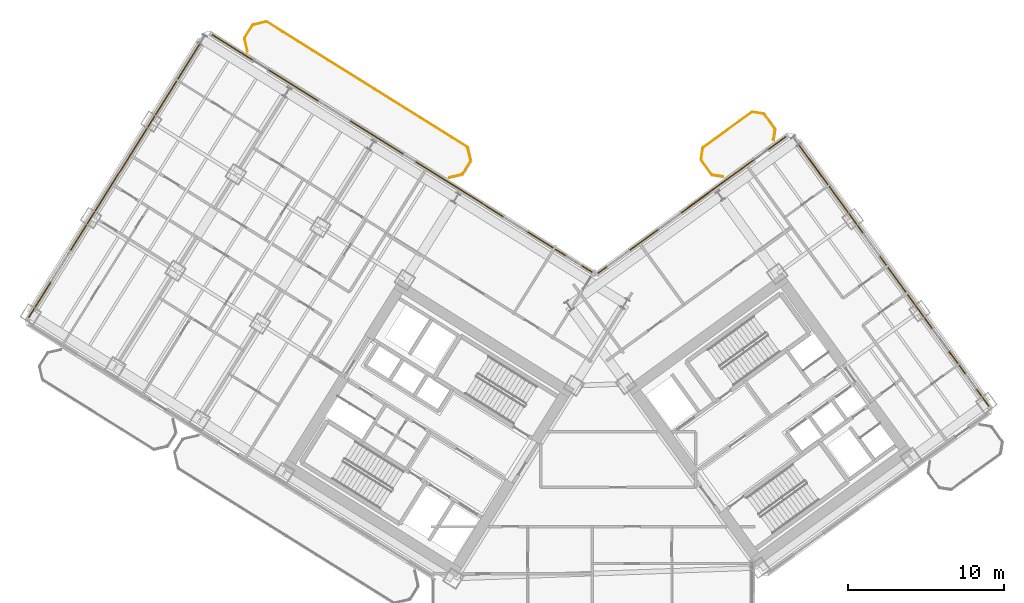
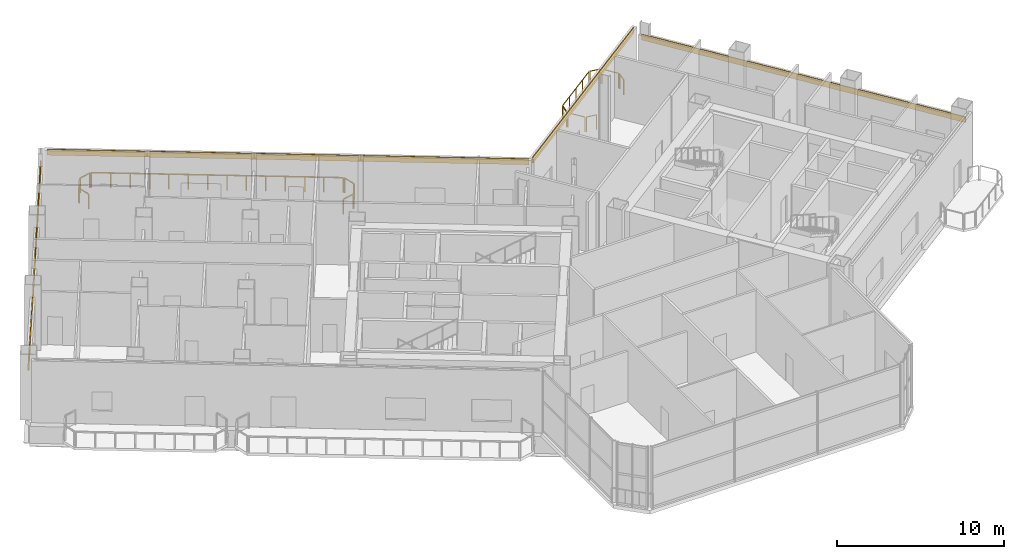
# One storey, part 22 of 22: 14 railings, 4 coverings.
"""IFC4 building model written with IfcOpenShell, lengths in metres."""

from ifc_helpers import new_model, si_unit, direction, frame, origin, origin_2d, place, context, subcontext, project, spatial, rectangle, extrude, source, transform, mapped, material, layer, layer_set, type_object, element, save


model = new_model("IFC4")

# Units and contexts
model_context = context("Model", 3, precision=1e-05, world=origin(), true_north=direction((0.0, 1.0)))
body_context = subcontext(model_context, "Body", "Model", "MODEL_VIEW")
ifc_project = project(units=[si_unit("LENGTHUNIT", "METRE"), si_unit("AREAUNIT", "SQUARE_METRE"), si_unit("VOLUMEUNIT", "CUBIC_METRE"), si_unit("PLANEANGLEUNIT", "RADIAN"), si_unit("MASSUNIT", "GRAM", prefix="KILO")], contexts=[model_context])

# Site, building, storey
site_placement = place(None, origin())
site = spatial("IfcSite", under=ifc_project, at=site_placement, CompositionType="ELEMENT")
building_placement = place(site_placement, origin())
building = spatial("IfcBuilding", under=site, at=building_placement, Name="Tlacorven Tower", CompositionType="ELEMENT")
storey_placement = place(building_placement, frame((0.0, 0.0, 71.699951171875)))
storey = spatial("IfcBuildingStorey", under=building, at=storey_placement, Name="L18", CompositionType="ELEMENT", Elevation=71.699951171875)

# Railings
ifc_material_1 = material(Name="Aluminium and painted steel balustrade", Category="steel")
railing_type = type_object("IfcRailingType", Name="RL-BAL-1100", PredefinedType="BALUSTRADE", material=ifc_material_1)
shared_shape_1 = source(origin(), body_context, "Body", "SweptSolid", [
    extrude(rectangle(XDim=0.048095703125, YDim=0.048095703125, at=origin_2d()), frame((0.0, 0.0, 1.076171875), z_axis=(0.974345290916, 0.225058334816, 0.0), x_axis=(-0.225058334816, 0.974345290916, 0.0)), (0.0, 0.0, 1.0), 0.80712890625),
    extrude(rectangle(XDim=0.0419921875, YDim=0.0419921875, at=origin_2d()), origin(), (0.0, 0.0, 1.0), 1.052001953125),
    extrude(rectangle(XDim=0.0419921875, YDim=0.0419921875, at=origin_2d()), frame((0.786376953125, 0.181640625, 0.0)), (0.0, 0.0, 1.0), 1.052001953125),
])
railing_1_placement = place(storey_placement, frame((20.2138671875, 47.643798828125, 0.0)))
element("IfcRailing", 1, at=railing_1_placement, inside=storey, type_object=railing_type, Name="BAL-L18-W-IN Guard Railing 6", PredefinedType="BALUSTRADE", context=body_context, shape_type="MappedRepresentation", body=[
    mapped(shared_shape_1, transform((0.0, 0.0, 0.0), scale=1.0)),
])
shared_shape_2 = source(origin(), body_context, "Body", "SweptSolid", [
    extrude(rectangle(XDim=0.048095703125, YDim=0.048095703125, at=origin_2d()), frame((0.0, 0.0, 1.076171875), z_axis=(-0.987661653326, 0.156602868908, 0.0), x_axis=(-0.156602868908, -0.987661653326, 0.0)), (0.0, 0.0, 1.0), 0.665771484375),
    extrude(rectangle(XDim=0.0419921875, YDim=0.0419921875, at=origin_2d()), origin(), (0.0, 0.0, 1.0), 1.052001953125),
    extrude(rectangle(XDim=0.0419921875, YDim=0.0419921875, at=origin_2d()), frame((-0.657470703125, 0.104248046875, 0.0)), (0.0, 0.0, 1.0), 1.052001953125),
])
railing_2_placement = place(storey_placement, frame((50.359130859375, 37.891845703125, 0.0)))
element("IfcRailing", 2, at=railing_2_placement, inside=storey, type_object=railing_type, Name="BAL-L18-E-IN Guard Railing 1", PredefinedType="BALUSTRADE", context=body_context, shape_type="MappedRepresentation", body=[
    mapped(shared_shape_2, transform((0.0, 0.0, 0.0), scale=1.0)),
])
shared_shape_3 = source(origin(), body_context, "Body", "SweptSolid", [
    extrude(rectangle(XDim=0.048095703125, YDim=0.048095703125, at=origin_2d()), frame((0.0, 0.0, 1.076171875), z_axis=(0.156602868908, 0.987661653326, 0.0), x_axis=(-0.987661653326, 0.156602868908, 0.0)), (0.0, 0.0, 1.0), 0.665771484375),
    extrude(rectangle(XDim=0.0419921875, YDim=0.0419921875, at=origin_2d()), origin(), (0.0, 0.0, 1.0), 1.052001953125),
    extrude(rectangle(XDim=0.0419921875, YDim=0.0419921875, at=origin_2d()), frame((0.104248046875, 0.657470703125, 0.0)), (0.0, 0.0, 1.0), 1.052001953125),
])
railing_3_placement = place(storey_placement, frame((48.947509765625, 39.033935546875, 0.0)))
element("IfcRailing", 3, at=railing_3_placement, inside=storey, type_object=railing_type, Name="BAL-L18-E-IN Guard Railing 3", PredefinedType="BALUSTRADE", context=body_context, shape_type="MappedRepresentation", body=[
    mapped(shared_shape_3, transform((0.0, 0.0, 0.0), scale=1.0)),
])
shared_shape_4 = source(origin(), body_context, "Body", "SweptSolid", [
    extrude(rectangle(XDim=0.048095703125, YDim=0.048095703125, at=origin_2d()), frame((0.0, 0.0, 1.076171875), z_axis=(-0.156245081039, -0.987718317463, 0.0), x_axis=(0.987718317463, -0.156245081039, 0.0)), (0.0, 0.0, 1.0), 0.66552734375),
    extrude(rectangle(XDim=0.0419921875, YDim=0.0419921875, at=origin_2d()), origin(), (0.0, 0.0, 1.0), 1.052001953125),
    extrude(rectangle(XDim=0.0419921875, YDim=0.0419921875, at=origin_2d()), frame((-0.10400390625, -0.657470703125, 0.0)), (0.0, 0.0, 1.0), 1.052001953125),
])
railing_4_placement = place(storey_placement, frame((53.689453125, 40.893310546875, 0.0)))
element("IfcRailing", 4, at=railing_4_placement, inside=storey, type_object=railing_type, Name="BAL-L18-E-IN Guard Railing 7", PredefinedType="BALUSTRADE", context=body_context, shape_type="MappedRepresentation", body=[
    mapped(shared_shape_4, transform((0.0, 0.0, 0.0), scale=1.0)),
])

# Coverings
ifc_material_2 = material(Name="Precast concrete C45/55", Category="concrete")
ifc_layer = layer(ifc_material_2, 0.06005859375)
ifc_layer_set = layer_set([ifc_layer], Name="Precast concrete C45/55")
covering_type = type_object("IfcCoveringType", Name="CV-CLD-TERC", PredefinedType="CLADDING", material=ifc_layer_set)
shared_shape_5 = source(origin(), body_context, "Body", "SweptSolid", [
    extrude(rectangle(XDim=21.287353515625, YDim=0.06005859375, at=origin_2d()), origin(), (0.0, 0.0, 1.0), 0.419921875),
])
for number, where, z_axis, x_axis, name in (
    (5, (11.419677734375, 37.864013671875, 3.47509765625), (0.0, 0.0, 1.0), (0.529919147866, 0.848048168871, 0.0), "L18 Masonry-Frame Spandrel Cladding 2"),
    (6, (61.15478515625, 31.767333984375, 3.47509765625), (0.0, 0.0, 1.0), (0.587785363163, -0.809016913823, 0.0), "L18 Masonry-Frame Spandrel Cladding 5"),
):
    element("IfcCovering", number, at=place(storey_placement, frame(where, z_axis=z_axis, x_axis=x_axis)), inside=storey, type_object=covering_type, Name=name, PredefinedType="CLADDING", context=body_context, shape_type="MappedRepresentation", body=[
        mapped(shared_shape_5, transform((0.0, 0.0, 0.0), scale=1.0)),
    ])

# Railings
shared_shape_6 = source(origin(), body_context, "Body", "SweptSolid", [
    extrude(rectangle(XDim=0.048095703125, YDim=0.048095703125, at=origin_2d()), frame((0.0, 0.0, 1.076171875), z_axis=(0.529998940003, 0.847998304005, 0.0), x_axis=(-0.847998304005, 0.529998940003, 0.0)), (0.0, 0.0, 1.0), 0.912109375),
    extrude(rectangle(XDim=0.0419921875, YDim=0.0419921875, at=origin_2d()), origin(), (0.0, 0.0, 1.0), 1.052001953125),
    extrude(rectangle(XDim=0.0419921875, YDim=0.0419921875, at=origin_2d()), frame((0.4833984375, 0.7734375, 0.0)), (0.0, 0.0, 1.0), 1.052001953125),
])
railing_5_placement = place(storey_placement, frame((19.6552734375, 46.816650390625, 0.0)))
element("IfcRailing", 7, at=railing_5_placement, inside=storey, type_object=railing_type, Name="BAL-L18-W-IN Guard Railing 5", PredefinedType="BALUSTRADE", context=body_context, shape_type="MappedRepresentation", body=[
    mapped(shared_shape_6, transform((0.0, 0.0, 0.0), scale=1.0)),
])
shared_shape_7 = source(origin(), body_context, "Body", "SweptSolid", [
    extrude(rectangle(XDim=0.048095703125, YDim=0.048095703125, at=origin_2d()), frame((0.0, 0.0, 1.076171875), z_axis=(0.224992020761, -0.974360606036, 0.0), x_axis=(0.974360606036, 0.224992020761, 0.0)), (0.0, 0.0, 1.0), 0.807373046875),
    extrude(rectangle(XDim=0.0419921875, YDim=0.0419921875, at=origin_2d()), origin(), (0.0, 0.0, 1.0), 1.052001953125),
    extrude(rectangle(XDim=0.0419921875, YDim=0.0419921875, at=origin_2d()), frame((0.181640625, -0.78662109375, 0.0)), (0.0, 0.0, 1.0), 1.052001953125),
])
railing_6_placement = place(storey_placement, frame((33.965087890625, 39.72412109375, 0.0)))
element("IfcRailing", 8, at=railing_6_placement, inside=storey, type_object=railing_type, Name="BAL-L18-W-IN Guard Railing 1", PredefinedType="BALUSTRADE", context=body_context, shape_type="MappedRepresentation", body=[
    mapped(shared_shape_7, transform((0.0, 0.0, 0.0), scale=1.0)),
])
shared_shape_8 = source(origin(), body_context, "Body", "SweptSolid", [
    extrude(rectangle(XDim=0.048095703125, YDim=0.048095703125, at=origin_2d()), frame((0.0, 0.0, 1.076171875), z_axis=(-0.529998940003, -0.847998304005, 0.0), x_axis=(0.847998304005, -0.529998940003, 0.0)), (0.0, 0.0, 1.0), 0.912109375),
    extrude(rectangle(XDim=0.0419921875, YDim=0.0419921875, at=origin_2d()), origin(), (0.0, 0.0, 1.0), 1.052001953125),
    extrude(rectangle(XDim=0.0419921875, YDim=0.0419921875, at=origin_2d()), frame((-0.4833984375, -0.7734375, 0.0)), (0.0, 0.0, 1.0), 1.052001953125),
])
railing_7_placement = place(storey_placement, frame((34.131591796875, 38.846435546875, 0.0)))
element("IfcRailing", 9, at=railing_7_placement, inside=storey, type_object=railing_type, Name="BAL-L18-W-IN Guard Railing 2", PredefinedType="BALUSTRADE", context=body_context, shape_type="MappedRepresentation", body=[
    mapped(shared_shape_8, transform((0.0, 0.0, 0.0), scale=1.0)),
])
shared_shape_9 = source(origin(), body_context, "Body", "SweptSolid", [
    extrude(rectangle(XDim=0.048095703125, YDim=0.048095703125, at=origin_2d()), frame((0.0, 0.0, 1.076171875), z_axis=(-0.974360606036, -0.224992020761, 0.0), x_axis=(0.224992020761, -0.974360606036, 0.0)), (0.0, 0.0, 1.0), 0.807373046875),
    extrude(rectangle(XDim=0.0419921875, YDim=0.0419921875, at=origin_2d()), origin(), (0.0, 0.0, 1.0), 1.052001953125),
    extrude(rectangle(XDim=0.0419921875, YDim=0.0419921875, at=origin_2d()), frame((-0.78662109375, -0.181640625, 0.0)), (0.0, 0.0, 1.0), 1.052001953125),
])
railing_8_placement = place(storey_placement, frame((33.572998046875, 38.019287109375, 0.0)))
element("IfcRailing", 10, at=railing_8_placement, inside=storey, type_object=railing_type, Name="BAL-L18-W-IN Guard Railing 3", PredefinedType="BALUSTRADE", context=body_context, shape_type="MappedRepresentation", body=[
    mapped(shared_shape_9, transform((0.0, 0.0, 0.0), scale=1.0)),
])
shared_shape_10 = source(origin(), body_context, "Body", "SweptSolid", [
    extrude(rectangle(XDim=0.048095703125, YDim=0.048095703125, at=origin_2d()), frame((0.0, 0.0, 1.076171875), z_axis=(-0.22470489119, 0.974426863277, 0.0), x_axis=(-0.974426863277, -0.22470489119, 0.0)), (0.0, 0.0, 1.0), 0.807373046875),
    extrude(rectangle(XDim=0.0419921875, YDim=0.0419921875, at=origin_2d()), origin(), (0.0, 0.0, 1.0), 1.052001953125),
    extrude(rectangle(XDim=0.0419921875, YDim=0.0419921875, at=origin_2d()), frame((-0.181396484375, 0.78662109375, 0.0)), (0.0, 0.0, 1.0), 1.052001953125),
])
railing_9_placement = place(storey_placement, frame((19.821533203125, 45.93896484375, 0.0)))
element("IfcRailing", 11, at=railing_9_placement, inside=storey, type_object=railing_type, Name="BAL-L18-W-IN Guard Railing 4", PredefinedType="BALUSTRADE", context=body_context, shape_type="MappedRepresentation", body=[
    mapped(shared_shape_10, transform((0.0, 0.0, 0.0), scale=1.0)),
])
shared_shape_11 = source(origin(), body_context, "Body", "SweptSolid", [
    extrude(rectangle(XDim=0.048095703125, YDim=0.048095703125, at=origin_2d()), frame((0.0, 0.0, 1.076171875), z_axis=(0.848051830527, -0.529913287944, 0.0), x_axis=(0.529913287944, 0.848051830527, 0.0)), (0.0, 0.0, 1.0), 15.1171875),
    extrude(rectangle(XDim=0.0419921875, YDim=0.0419921875, at=origin_2d()), origin(), (0.0, 0.0, 1.0), 1.052001953125),
    extrude(rectangle(XDim=0.0419921875, YDim=0.0419921875, at=origin_2d()), frame((0.986083984375, -0.6162109375, 0.0)), (0.0, 0.0, 1.0), 1.052001953125),
    extrude(rectangle(XDim=0.0419921875, YDim=0.0419921875, at=origin_2d()), frame((1.972412109375, -1.232421875, 0.0)), (0.0, 0.0, 1.0), 1.052001953125),
    extrude(rectangle(XDim=0.0419921875, YDim=0.0419921875, at=origin_2d()), frame((2.95849609375, -1.8486328125, 0.0)), (0.0, 0.0, 1.0), 1.052001953125),
    extrude(rectangle(XDim=0.0419921875, YDim=0.0419921875, at=origin_2d()), frame((3.944580078125, -2.46484375, 0.0)), (0.0, 0.0, 1.0), 1.052001953125),
    extrude(rectangle(XDim=0.0419921875, YDim=0.0419921875, at=origin_2d()), frame((4.930908203125, -3.0810546875, 0.0)), (0.0, 0.0, 1.0), 1.052001953125),
    extrude(rectangle(XDim=0.0419921875, YDim=0.0419921875, at=origin_2d()), frame((5.9169921875, -3.697265625, 0.0)), (0.0, 0.0, 1.0), 1.052001953125),
    extrude(rectangle(XDim=0.0419921875, YDim=0.0419921875, at=origin_2d()), frame((6.903076171875, -4.3134765625, 0.0)), (0.0, 0.0, 1.0), 1.052001953125),
    extrude(rectangle(XDim=0.0419921875, YDim=0.0419921875, at=origin_2d()), frame((7.88916015625, -4.9296875, 0.0)), (0.0, 0.0, 1.0), 1.052001953125),
    extrude(rectangle(XDim=0.0419921875, YDim=0.0419921875, at=origin_2d()), frame((8.87548828125, -5.5458984375, 0.0)), (0.0, 0.0, 1.0), 1.052001953125),
    extrude(rectangle(XDim=0.0419921875, YDim=0.0419921875, at=origin_2d()), frame((9.861572265625, -6.162109375, 0.0)), (0.0, 0.0, 1.0), 1.052001953125),
    extrude(rectangle(XDim=0.0419921875, YDim=0.0419921875, at=origin_2d()), frame((10.84765625, -6.7783203125, 0.0)), (0.0, 0.0, 1.0), 1.052001953125),
    extrude(rectangle(XDim=0.0419921875, YDim=0.0419921875, at=origin_2d()), frame((11.833984375, -7.39453125, 0.0)), (0.0, 0.0, 1.0), 1.052001953125),
    extrude(rectangle(XDim=0.0419921875, YDim=0.0419921875, at=origin_2d()), frame((12.820068359375, -8.0107421875, 0.0)), (0.0, 0.0, 1.0), 1.052001953125),
])
railing_10_placement = place(storey_placement, frame((21.091552734375, 47.81005859375, 0.0)))
element("IfcRailing", 12, at=railing_10_placement, inside=storey, type_object=railing_type, Name="BAL-L18-W-IN Guard Railing 7", PredefinedType="BALUSTRADE", context=body_context, shape_type="MappedRepresentation", body=[
    mapped(shared_shape_11, transform((0.0, 0.0, 0.0), scale=1.0)),
])
shared_shape_12 = source(origin(), body_context, "Body", "SweptSolid", [
    extrude(rectangle(XDim=0.048095703125, YDim=0.048095703125, at=origin_2d()), frame((0.0, 0.0, 1.076171875), z_axis=(-0.587636431696, 0.809125097957, 0.0), x_axis=(-0.809125097957, -0.587636431696, 0.0)), (0.0, 0.0, 1.0), 1.1123046875),
    extrude(rectangle(XDim=0.0419921875, YDim=0.0419921875, at=origin_2d()), origin(), (0.0, 0.0, 1.0), 1.052001953125),
    extrude(rectangle(XDim=0.0419921875, YDim=0.0419921875, at=origin_2d()), frame((-0.653564453125, 0.89990234375, 0.0)), (0.0, 0.0, 1.0), 1.052001953125),
])
railing_11_placement = place(storey_placement, frame((49.622802734375, 38.044189453125, 0.0)))
element("IfcRailing", 13, at=railing_11_placement, inside=storey, type_object=railing_type, Name="BAL-L18-E-IN Guard Railing 2", PredefinedType="BALUSTRADE", context=body_context, shape_type="MappedRepresentation", body=[
    mapped(shared_shape_12, transform((0.0, 0.0, 0.0), scale=1.0)),
])
shared_shape_13 = source(origin(), body_context, "Body", "SweptSolid", [
    extrude(rectangle(XDim=0.048095703125, YDim=0.048095703125, at=origin_2d()), frame((0.0, 0.0, 1.076171875), z_axis=(0.809018102573, 0.587783726986, 0.0), x_axis=(-0.587783726986, 0.809018102573, 0.0)), (0.0, 0.0, 1.0), 3.817138671875),
    extrude(rectangle(XDim=0.0419921875, YDim=0.0419921875, at=origin_2d()), origin(), (0.0, 0.0, 1.0), 1.052001953125),
    extrude(rectangle(XDim=0.0419921875, YDim=0.0419921875, at=origin_2d()), frame((0.77197265625, 0.56103515625, 0.0)), (0.0, 0.0, 1.0), 1.052001953125),
    extrude(rectangle(XDim=0.0419921875, YDim=0.0419921875, at=origin_2d()), frame((1.5439453125, 1.121826171875, 0.0)), (0.0, 0.0, 1.0), 1.052001953125),
    extrude(rectangle(XDim=0.0419921875, YDim=0.0419921875, at=origin_2d()), frame((2.316162109375, 1.6826171875, 0.0)), (0.0, 0.0, 1.0), 1.052001953125),
    extrude(rectangle(XDim=0.0419921875, YDim=0.0419921875, at=origin_2d()), frame((3.088134765625, 2.24365234375, 0.0)), (0.0, 0.0, 1.0), 1.052001953125),
])
railing_12_placement = place(storey_placement, frame((49.10009765625, 39.77001953125, 0.0)))
element("IfcRailing", 14, at=railing_12_placement, inside=storey, type_object=railing_type, Name="BAL-L18-E-IN Guard Railing 4", PredefinedType="BALUSTRADE", context=body_context, shape_type="MappedRepresentation", body=[
    mapped(shared_shape_13, transform((0.0, 0.0, 0.0), scale=1.0)),
])
shared_shape_14 = source(origin(), body_context, "Body", "SweptSolid", [
    extrude(rectangle(XDim=0.048095703125, YDim=0.048095703125, at=origin_2d()), frame((0.0, 0.0, 1.076171875), z_axis=(0.987661653326, -0.156602868908, 0.0), x_axis=(0.156602868908, 0.987661653326, 0.0)), (0.0, 0.0, 1.0), 0.665771484375),
    extrude(rectangle(XDim=0.0419921875, YDim=0.0419921875, at=origin_2d()), origin(), (0.0, 0.0, 1.0), 1.052001953125),
    extrude(rectangle(XDim=0.0419921875, YDim=0.0419921875, at=origin_2d()), frame((0.657470703125, -0.104248046875, 0.0)), (0.0, 0.0, 1.0), 1.052001953125),
])
railing_13_placement = place(storey_placement, frame((52.278076171875, 42.035400390625, 0.0)))
element("IfcRailing", 15, at=railing_13_placement, inside=storey, type_object=railing_type, Name="BAL-L18-E-IN Guard Railing 5", PredefinedType="BALUSTRADE", context=body_context, shape_type="MappedRepresentation", body=[
    mapped(shared_shape_14, transform((0.0, 0.0, 0.0), scale=1.0)),
])
shared_shape_15 = source(origin(), body_context, "Body", "SweptSolid", [
    extrude(rectangle(XDim=0.048095703125, YDim=0.048095703125, at=origin_2d()), frame((0.0, 0.0, 1.076171875), z_axis=(0.587780115446, -0.809020726488, 0.0), x_axis=(0.809020726488, 0.587780115446, 0.0)), (0.0, 0.0, 1.0), 1.1123046875),
    extrude(rectangle(XDim=0.0419921875, YDim=0.0419921875, at=origin_2d()), origin(), (0.0, 0.0, 1.0), 1.052001953125),
    extrude(rectangle(XDim=0.0419921875, YDim=0.0419921875, at=origin_2d()), frame((0.65380859375, -0.89990234375, 0.0)), (0.0, 0.0, 1.0), 1.052001953125),
])
railing_14_placement = place(storey_placement, frame((53.01416015625, 41.883056640625, 0.0)))
element("IfcRailing", 16, at=railing_14_placement, inside=storey, type_object=railing_type, Name="BAL-L18-E-IN Guard Railing 6", PredefinedType="BALUSTRADE", context=body_context, shape_type="MappedRepresentation", body=[
    mapped(shared_shape_15, transform((0.0, 0.0, 0.0), scale=1.0)),
])

# Coverings
shared_shape_16 = source(origin(), body_context, "Body", "SweptSolid", [
    extrude(rectangle(XDim=28.923095703125, YDim=0.06005859375, at=origin_2d()), origin(), (0.0, 0.0, 1.0), 0.419921875),
])
covering_1_placement = place(storey_placement, frame((29.815185546875, 39.34033203125, 4.10009765625), z_axis=(0.0, 0.0, 1.0), x_axis=(0.848048220257, -0.52991906563, 0.0)))
element("IfcCovering", 17, at=covering_1_placement, inside=storey, type_object=covering_type, Name="L18 Masonry-Frame Spandrel Cladding 3", PredefinedType="CLADDING", context=body_context, shape_type="MappedRepresentation", body=[
    mapped(shared_shape_16, transform((0.0, 0.0, 0.0), scale=1.0)),
])
shared_shape_17 = source(origin(), body_context, "Body", "SweptSolid", [
    extrude(rectangle(XDim=14.923095703125, YDim=0.06005859375, at=origin_2d()), origin(), (0.0, 0.0, 1.0), 0.419921875),
])
covering_2_placement = place(storey_placement, frame((48.3642578125, 36.0712890625, 4.10009765625), z_axis=(0.0, 0.0, 1.0), x_axis=(0.809016703631, 0.587785652468, 0.0)))
element("IfcCovering", 18, at=covering_2_placement, inside=storey, type_object=covering_type, Name="L18 Masonry-Frame Spandrel Cladding 4", PredefinedType="CLADDING", context=body_context, shape_type="MappedRepresentation", body=[
    mapped(shared_shape_17, transform((0.0, 0.0, 0.0), scale=1.0)),
])

save(model, "model.ifc")
